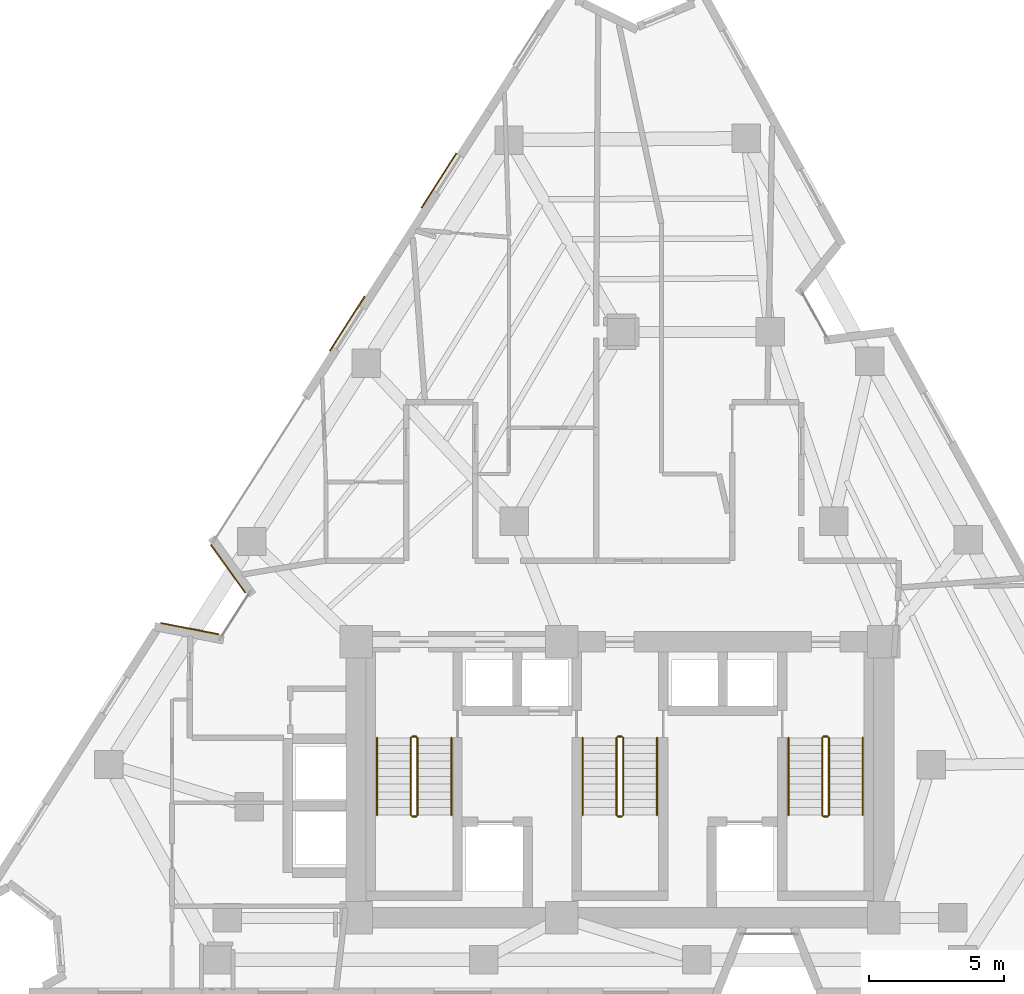
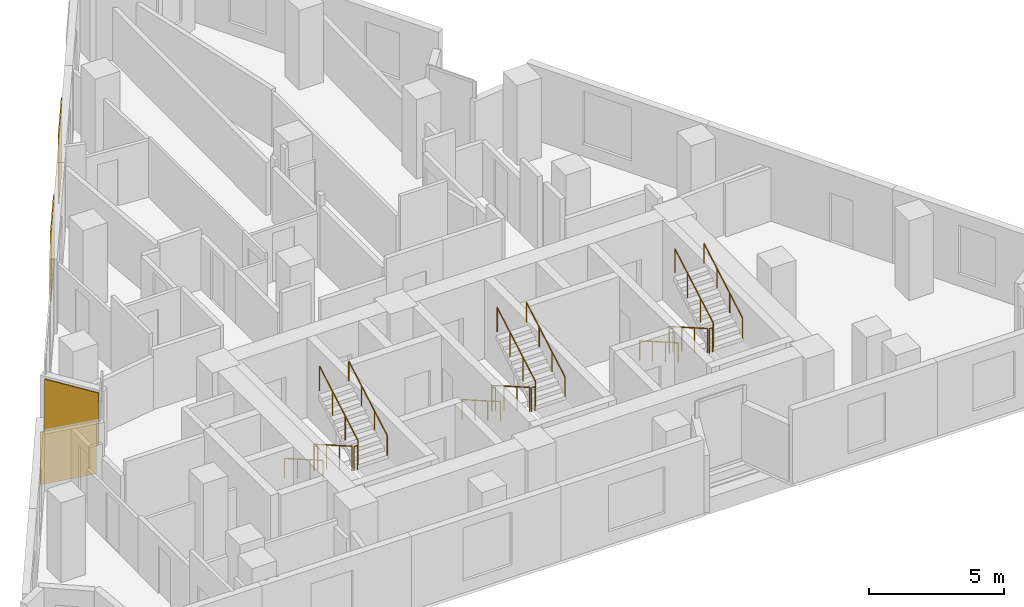
# One storey, part 10 of 11: 18 railings, 4 coverings.
"""IFC4 building model written with IfcOpenShell, lengths in metres."""

from ifc_helpers import new_model, si_unit, direction, frame, origin, origin_2d, place, context, subcontext, project, spatial, rectangle, circle, extrude, material, layer, layer_set, type_object, element, save


model = new_model("IFC4")

# Units and contexts
model_context = context("Model", 3, precision=1e-05, world=origin(), true_north=direction((0.0, 1.0)))
body_context = subcontext(model_context, "Body", "Model", "MODEL_VIEW")
ifc_project = project(units=[si_unit("LENGTHUNIT", "METRE"), si_unit("AREAUNIT", "SQUARE_METRE"), si_unit("VOLUMEUNIT", "CUBIC_METRE"), si_unit("PLANEANGLEUNIT", "RADIAN"), si_unit("MASSUNIT", "GRAM", prefix="KILO")], contexts=[model_context])

# Site, building, storey
site_placement = place(None, origin())
site = spatial("IfcSite", under=ifc_project, at=site_placement, CompositionType="ELEMENT")
building_placement = place(site_placement, origin())
building = spatial("IfcBuilding", under=site, at=building_placement, Name="Almagre Mirador Tower", CompositionType="ELEMENT")
storey_placement = place(building_placement, frame((0.0, 0.0, 160.800048828125)))
storey = spatial("IfcBuildingStorey", under=building, at=storey_placement, Name="L41", CompositionType="ELEMENT", Elevation=160.800048828125)

# Coverings
ifc_material_1 = material(Name="Almagre terracotta architectural cladding", Category="masonry")
ifc_layer = layer(ifc_material_1, 0.044921875)
ifc_layer_set = layer_set([ifc_layer], Name="Almagre terracotta architectural cladding")
covering_type = type_object("IfcCoveringType", Name="COV-CLAD-ALMAGRE", PredefinedType="CLADDING", material=ifc_layer_set)
covering_1_placement = place(storey_placement, frame((21.409912109375, 15.2353515625, 0.099853515625), z_axis=(0.0, 0.0, 1.0), x_axis=(0.981760154029, -0.190123643878, 0.0)))
element("IfcCovering", 1, at=covering_1_placement, inside=storey, type_object=covering_type, Name="L41 almagre terracotta pier cladding", PredefinedType="CLADDING", context=body_context, shape_type="SweptSolid", body=[
    extrude(rectangle(XDim=2.194091796875, YDim=0.044921875, at=origin_2d()), origin(), (0.0, 0.0, 1.0), 2.375),
])
covering_2_placement = place(storey_placement, frame((22.826416015625, 17.44482421875, 0.099853515625), z_axis=(0.0, 0.0, 1.0), x_axis=(-0.583186817535, 0.812338067466, 0.0)))
element("IfcCovering", 2, at=covering_2_placement, inside=storey, type_object=covering_type, Name="L41 almagre terracotta pier cladding", PredefinedType="CLADDING", context=body_context, shape_type="SweptSolid", body=[
    extrude(rectangle(XDim=2.193115234375, YDim=0.044921875, at=origin_2d()), origin(), (0.0, 0.0, 1.0), 2.375),
])
for number, where, z_axis, x_axis, name in (
    (3, (27.22802734375, 26.50830078125, 0.10009765625), (0.0, 0.0, 1.0), (0.539505758171, 0.841981910079, 0.0), "L41 almagre terracotta pier cladding"),
    (4, (30.615478515625, 31.794921875, 0.10009765625), (0.0, 0.0, 1.0), (0.539505758171, 0.841981910079, 0.0), "L41 almagre terracotta pier cladding"),
):
    element("IfcCovering", number, at=place(storey_placement, frame(where, z_axis=z_axis, x_axis=x_axis)), inside=storey, type_object=covering_type, Name=name, PredefinedType="CLADDING", context=body_context, shape_type="SweptSolid", body=[
        extrude(rectangle(XDim=2.39990234375, YDim=0.044921875, at=origin_2d()), origin(), (0.0, 0.0, 1.0), 3.14990234375),
    ])

# Railings
ifc_material_2 = material(Name="Painted galvanized steel", Category="steel")
railing_type_1 = type_object("IfcRailingType", Name="RLG-GRD-1100", PredefinedType="GUARDRAIL", material=ifc_material_2)
railing_1_placement = place(storey_placement, frame((29.574951171875, 11.199951171875, 0.16357421875)))
element("IfcRailing", 5, at=railing_1_placement, inside=storey, type_object=railing_type_1, Name="L41 ST-1 stair guard 1", PredefinedType="GUARDRAIL", context=body_context, shape_type="SweptSolid", body=[
    extrude(circle(Radius=0.02392578125, at=origin_2d()), frame((0.0, 0.0, 1.09619140625), z_axis=(0.0, -0.867194282975, 0.497969954491), x_axis=(1.0, 0.0, 0.0)), (0.0, 0.0, 1.0), 3.286376953125),
    extrude(circle(Radius=0.02099609375, at=origin_2d()), origin(), (0.0, 0.0, 1.0), 1.072021484375),
    extrude(circle(Radius=0.02099609375, at=origin_2d()), frame((0.0, -0.949951171875, 0.54541015625)), (0.0, 0.0, 1.0), 1.072021484375),
    extrude(circle(Radius=0.02099609375, at=origin_2d()), frame((0.0, -1.89990234375, 1.091064453125)), (0.0, 0.0, 1.0), 1.072021484375),
    extrude(circle(Radius=0.02099609375, at=origin_2d()), frame((0.0, -2.849853515625, 1.636474609375)), (0.0, 0.0, 1.0), 1.072021484375),
])
railing_2_placement = place(storey_placement, frame((29.625, 8.300048828125, 1.800048828125)))
element("IfcRailing", 6, at=railing_2_placement, inside=storey, type_object=railing_type_1, Name="L41 ST-1 stair guard 2", PredefinedType="GUARDRAIL", context=body_context, shape_type="SweptSolid", body=[
    extrude(circle(Radius=0.02392578125, at=origin_2d()), frame((0.0, 0.0, 1.09619140625), z_axis=(1.0, 0.0, 0.0), x_axis=(0.0, 1.0, 0.0)), (0.0, 0.0, 1.0), 0.14990234375),
    extrude(circle(Radius=0.02099609375, at=origin_2d()), origin(), (0.0, 0.0, 1.0), 1.072021484375),
    extrude(circle(Radius=0.02099609375, at=origin_2d()), frame((0.14990234375, 0.0, 0.0)), (0.0, 0.0, 1.0), 1.072021484375),
])
railing_3_placement = place(storey_placement, frame((29.824951171875, 8.35009765625, 1.963623046875)))
element("IfcRailing", 7, at=railing_3_placement, inside=storey, type_object=railing_type_1, Name="L41 ST-1 stair guard 3", PredefinedType="GUARDRAIL", context=body_context, shape_type="SweptSolid", body=[
    extrude(circle(Radius=0.02392578125, at=origin_2d()), frame((0.0, 0.0, 1.09619140625), z_axis=(0.0, 0.867226363773, 0.497914082927), x_axis=(-1.0, 0.0, 0.0)), (0.0, 0.0, 1.0), 3.2861328125),
    extrude(circle(Radius=0.02099609375, at=origin_2d()), origin(), (0.0, 0.0, 1.0), 1.072021484375),
    extrude(circle(Radius=0.02099609375, at=origin_2d()), frame((0.0, 0.949951171875, 0.54541015625)), (0.0, 0.0, 1.0), 1.072021484375),
    extrude(circle(Radius=0.02099609375, at=origin_2d()), frame((0.0, 1.89990234375, 1.0908203125)), (0.0, 0.0, 1.0), 1.072021484375),
    extrude(circle(Radius=0.02099609375, at=origin_2d()), frame((0.0, 2.849853515625, 1.63623046875)), (0.0, 0.0, 1.0), 1.072021484375),
])
railing_4_placement = place(storey_placement, frame((29.625, 11.25, 0.0)))
element("IfcRailing", 8, at=railing_4_placement, inside=storey, type_object=railing_type_1, Name="L41 ST-1 stair guard 4", PredefinedType="GUARDRAIL", context=body_context, shape_type="SweptSolid", body=[
    extrude(circle(Radius=0.02392578125, at=origin_2d()), frame((0.0, 0.0, 1.09619140625), z_axis=(1.0, 0.0, 0.0), x_axis=(0.0, 1.0, 0.0)), (0.0, 0.0, 1.0), 0.14990234375),
    extrude(circle(Radius=0.02099609375, at=origin_2d()), origin(), (0.0, 0.0, 1.0), 1.072021484375),
    extrude(circle(Radius=0.02099609375, at=origin_2d()), frame((0.14990234375, 0.0, 0.0)), (0.0, 0.0, 1.0), 1.072021484375),
])
railing_5_placement = place(storey_placement, frame((37.175048828125, 11.199951171875, 0.16357421875)))
element("IfcRailing", 9, at=railing_5_placement, inside=storey, type_object=railing_type_1, Name="L41 ST-2 stair guard 1", PredefinedType="GUARDRAIL", context=body_context, shape_type="SweptSolid", body=[
    extrude(circle(Radius=0.02392578125, at=origin_2d()), frame((0.0, 0.0, 1.09619140625), z_axis=(0.0, -0.867194282975, 0.497969954491), x_axis=(1.0, 0.0, 0.0)), (0.0, 0.0, 1.0), 3.286376953125),
    extrude(circle(Radius=0.02099609375, at=origin_2d()), origin(), (0.0, 0.0, 1.0), 1.072021484375),
    extrude(circle(Radius=0.02099609375, at=origin_2d()), frame((0.0, -0.949951171875, 0.54541015625)), (0.0, 0.0, 1.0), 1.072021484375),
    extrude(circle(Radius=0.02099609375, at=origin_2d()), frame((0.0, -1.89990234375, 1.091064453125)), (0.0, 0.0, 1.0), 1.072021484375),
    extrude(circle(Radius=0.02099609375, at=origin_2d()), frame((0.0, -2.849853515625, 1.636474609375)), (0.0, 0.0, 1.0), 1.072021484375),
])
railing_6_placement = place(storey_placement, frame((37.22509765625, 8.300048828125, 1.800048828125)))
element("IfcRailing", 10, at=railing_6_placement, inside=storey, type_object=railing_type_1, Name="L41 ST-2 stair guard 2", PredefinedType="GUARDRAIL", context=body_context, shape_type="SweptSolid", body=[
    extrude(circle(Radius=0.02392578125, at=origin_2d()), frame((0.0, 0.0, 1.09619140625), z_axis=(1.0, 0.0, 0.0), x_axis=(0.0, 1.0, 0.0)), (0.0, 0.0, 1.0), 0.14990234375),
    extrude(circle(Radius=0.02099609375, at=origin_2d()), origin(), (0.0, 0.0, 1.0), 1.072021484375),
    extrude(circle(Radius=0.02099609375, at=origin_2d()), frame((0.14990234375, 0.0, 0.0)), (0.0, 0.0, 1.0), 1.072021484375),
])
railing_7_placement = place(storey_placement, frame((37.425048828125, 8.35009765625, 1.963623046875)))
element("IfcRailing", 11, at=railing_7_placement, inside=storey, type_object=railing_type_1, Name="L41 ST-2 stair guard 3", PredefinedType="GUARDRAIL", context=body_context, shape_type="SweptSolid", body=[
    extrude(circle(Radius=0.02392578125, at=origin_2d()), frame((0.0, 0.0, 1.09619140625), z_axis=(0.0, 0.867226363773, 0.497914082927), x_axis=(-1.0, 0.0, 0.0)), (0.0, 0.0, 1.0), 3.2861328125),
    extrude(circle(Radius=0.02099609375, at=origin_2d()), origin(), (0.0, 0.0, 1.0), 1.072021484375),
    extrude(circle(Radius=0.02099609375, at=origin_2d()), frame((0.0, 0.949951171875, 0.54541015625)), (0.0, 0.0, 1.0), 1.072021484375),
    extrude(circle(Radius=0.02099609375, at=origin_2d()), frame((0.0, 1.89990234375, 1.0908203125)), (0.0, 0.0, 1.0), 1.072021484375),
    extrude(circle(Radius=0.02099609375, at=origin_2d()), frame((0.0, 2.849853515625, 1.63623046875)), (0.0, 0.0, 1.0), 1.072021484375),
])
railing_8_placement = place(storey_placement, frame((37.22509765625, 11.25, 0.0)))
element("IfcRailing", 12, at=railing_8_placement, inside=storey, type_object=railing_type_1, Name="L41 ST-2 stair guard 4", PredefinedType="GUARDRAIL", context=body_context, shape_type="SweptSolid", body=[
    extrude(circle(Radius=0.02392578125, at=origin_2d()), frame((0.0, 0.0, 1.09619140625), z_axis=(1.0, 0.0, 0.0), x_axis=(0.0, 1.0, 0.0)), (0.0, 0.0, 1.0), 0.14990234375),
    extrude(circle(Radius=0.02099609375, at=origin_2d()), origin(), (0.0, 0.0, 1.0), 1.072021484375),
    extrude(circle(Radius=0.02099609375, at=origin_2d()), frame((0.14990234375, 0.0, 0.0)), (0.0, 0.0, 1.0), 1.072021484375),
])
railing_9_placement = place(storey_placement, frame((44.77490234375, 11.199951171875, 0.16357421875)))
element("IfcRailing", 13, at=railing_9_placement, inside=storey, type_object=railing_type_1, Name="L41 ST-3 stair guard 1", PredefinedType="GUARDRAIL", context=body_context, shape_type="SweptSolid", body=[
    extrude(circle(Radius=0.02392578125, at=origin_2d()), frame((0.0, 0.0, 1.09619140625), z_axis=(0.0, -0.867194282975, 0.497969954491), x_axis=(1.0, 0.0, 0.0)), (0.0, 0.0, 1.0), 3.286376953125),
    extrude(circle(Radius=0.02099609375, at=origin_2d()), origin(), (0.0, 0.0, 1.0), 1.072021484375),
    extrude(circle(Radius=0.02099609375, at=origin_2d()), frame((0.0, -0.949951171875, 0.54541015625)), (0.0, 0.0, 1.0), 1.072021484375),
    extrude(circle(Radius=0.02099609375, at=origin_2d()), frame((0.0, -1.89990234375, 1.091064453125)), (0.0, 0.0, 1.0), 1.072021484375),
    extrude(circle(Radius=0.02099609375, at=origin_2d()), frame((0.0, -2.849853515625, 1.636474609375)), (0.0, 0.0, 1.0), 1.072021484375),
])
railing_10_placement = place(storey_placement, frame((44.824951171875, 8.300048828125, 1.800048828125)))
element("IfcRailing", 14, at=railing_10_placement, inside=storey, type_object=railing_type_1, Name="L41 ST-3 stair guard 2", PredefinedType="GUARDRAIL", context=body_context, shape_type="SweptSolid", body=[
    extrude(circle(Radius=0.02392578125, at=origin_2d()), frame((0.0, 0.0, 1.09619140625), z_axis=(1.0, 0.0, 0.0), x_axis=(0.0, 1.0, 0.0)), (0.0, 0.0, 1.0), 0.150146484375),
    extrude(circle(Radius=0.02099609375, at=origin_2d()), origin(), (0.0, 0.0, 1.0), 1.072021484375),
    extrude(circle(Radius=0.02099609375, at=origin_2d()), frame((0.150146484375, 0.0, 0.0)), (0.0, 0.0, 1.0), 1.072021484375),
])
railing_11_placement = place(storey_placement, frame((45.02490234375, 8.35009765625, 1.963623046875)))
element("IfcRailing", 15, at=railing_11_placement, inside=storey, type_object=railing_type_1, Name="L41 ST-3 stair guard 3", PredefinedType="GUARDRAIL", context=body_context, shape_type="SweptSolid", body=[
    extrude(circle(Radius=0.02392578125, at=origin_2d()), frame((0.0, 0.0, 1.09619140625), z_axis=(0.0, 0.867226363773, 0.497914082927), x_axis=(-1.0, 0.0, 0.0)), (0.0, 0.0, 1.0), 3.2861328125),
    extrude(circle(Radius=0.02099609375, at=origin_2d()), origin(), (0.0, 0.0, 1.0), 1.072021484375),
    extrude(circle(Radius=0.02099609375, at=origin_2d()), frame((0.0, 0.949951171875, 0.54541015625)), (0.0, 0.0, 1.0), 1.072021484375),
    extrude(circle(Radius=0.02099609375, at=origin_2d()), frame((0.0, 1.89990234375, 1.0908203125)), (0.0, 0.0, 1.0), 1.072021484375),
    extrude(circle(Radius=0.02099609375, at=origin_2d()), frame((0.0, 2.849853515625, 1.63623046875)), (0.0, 0.0, 1.0), 1.072021484375),
])
railing_12_placement = place(storey_placement, frame((44.824951171875, 11.25, 0.0)))
element("IfcRailing", 16, at=railing_12_placement, inside=storey, type_object=railing_type_1, Name="L41 ST-3 stair guard 4", PredefinedType="GUARDRAIL", context=body_context, shape_type="SweptSolid", body=[
    extrude(circle(Radius=0.02392578125, at=origin_2d()), frame((0.0, 0.0, 1.09619140625), z_axis=(1.0, 0.0, 0.0), x_axis=(0.0, 1.0, 0.0)), (0.0, 0.0, 1.0), 0.150146484375),
    extrude(circle(Radius=0.02099609375, at=origin_2d()), origin(), (0.0, 0.0, 1.0), 1.072021484375),
    extrude(circle(Radius=0.02099609375, at=origin_2d()), frame((0.150146484375, 0.0, 0.0)), (0.0, 0.0, 1.0), 1.072021484375),
])
ifc_material_3 = material(Name="Brushed stainless steel", Category="steel")
railing_type_2 = type_object("IfcRailingType", Name="RLG-HND-915", PredefinedType="HANDRAIL", material=ifc_material_3)
railing_13_placement = place(storey_placement, frame((28.324951171875, 11.199951171875, 0.16357421875)))
element("IfcRailing", 17, at=railing_13_placement, inside=storey, type_object=railing_type_2, Name="L41 ST-1 stair handrail 1", PredefinedType="HANDRAIL", context=body_context, shape_type="SweptSolid", body=[
    extrude(circle(Radius=0.02392578125, at=origin_2d()), frame((0.0, 0.0, 0.89111328125), z_axis=(0.0, -0.867194282975, 0.497969954491), x_axis=(1.0, 0.0, 0.0)), (0.0, 0.0, 1.0), 3.286376953125),
    extrude(circle(Radius=0.02099609375, at=origin_2d()), origin(), (0.0, 0.0, 1.0), 0.866943359375),
    extrude(circle(Radius=0.02099609375, at=origin_2d()), frame((0.0, -0.949951171875, 0.54541015625)), (0.0, 0.0, 1.0), 0.866943359375),
    extrude(circle(Radius=0.02099609375, at=origin_2d()), frame((0.0, -1.89990234375, 1.091064453125)), (0.0, 0.0, 1.0), 0.866943359375),
    extrude(circle(Radius=0.02099609375, at=origin_2d()), frame((0.0, -2.849853515625, 1.636474609375)), (0.0, 0.0, 1.0), 0.866943359375),
])
railing_14_placement = place(storey_placement, frame((31.074951171875, 8.35009765625, 1.963623046875)))
element("IfcRailing", 18, at=railing_14_placement, inside=storey, type_object=railing_type_2, Name="L41 ST-1 stair handrail 2", PredefinedType="HANDRAIL", context=body_context, shape_type="SweptSolid", body=[
    extrude(circle(Radius=0.02392578125, at=origin_2d()), frame((0.0, 0.0, 0.89111328125), z_axis=(0.0, 0.867226363773, 0.497914082927), x_axis=(-1.0, 0.0, 0.0)), (0.0, 0.0, 1.0), 3.2861328125),
    extrude(circle(Radius=0.02099609375, at=origin_2d()), origin(), (0.0, 0.0, 1.0), 0.866943359375),
    extrude(circle(Radius=0.02099609375, at=origin_2d()), frame((0.0, 0.949951171875, 0.54541015625)), (0.0, 0.0, 1.0), 0.866943359375),
    extrude(circle(Radius=0.02099609375, at=origin_2d()), frame((0.0, 1.89990234375, 1.0908203125)), (0.0, 0.0, 1.0), 0.866943359375),
    extrude(circle(Radius=0.02099609375, at=origin_2d()), frame((0.0, 2.849853515625, 1.63623046875)), (0.0, 0.0, 1.0), 0.866943359375),
])
railing_15_placement = place(storey_placement, frame((35.925048828125, 11.199951171875, 0.16357421875)))
element("IfcRailing", 19, at=railing_15_placement, inside=storey, type_object=railing_type_2, Name="L41 ST-2 stair handrail 1", PredefinedType="HANDRAIL", context=body_context, shape_type="SweptSolid", body=[
    extrude(circle(Radius=0.02392578125, at=origin_2d()), frame((0.0, 0.0, 0.89111328125), z_axis=(0.0, -0.867194282975, 0.497969954491), x_axis=(1.0, 0.0, 0.0)), (0.0, 0.0, 1.0), 3.286376953125),
    extrude(circle(Radius=0.02099609375, at=origin_2d()), origin(), (0.0, 0.0, 1.0), 0.866943359375),
    extrude(circle(Radius=0.02099609375, at=origin_2d()), frame((0.0, -0.949951171875, 0.54541015625)), (0.0, 0.0, 1.0), 0.866943359375),
    extrude(circle(Radius=0.02099609375, at=origin_2d()), frame((0.0, -1.89990234375, 1.091064453125)), (0.0, 0.0, 1.0), 0.866943359375),
    extrude(circle(Radius=0.02099609375, at=origin_2d()), frame((0.0, -2.849853515625, 1.636474609375)), (0.0, 0.0, 1.0), 0.866943359375),
])
railing_16_placement = place(storey_placement, frame((38.675048828125, 8.35009765625, 1.963623046875)))
element("IfcRailing", 20, at=railing_16_placement, inside=storey, type_object=railing_type_2, Name="L41 ST-2 stair handrail 2", PredefinedType="HANDRAIL", context=body_context, shape_type="SweptSolid", body=[
    extrude(circle(Radius=0.02392578125, at=origin_2d()), frame((0.0, 0.0, 0.89111328125), z_axis=(0.0, 0.867226363773, 0.497914082927), x_axis=(-1.0, 0.0, 0.0)), (0.0, 0.0, 1.0), 3.2861328125),
    extrude(circle(Radius=0.02099609375, at=origin_2d()), origin(), (0.0, 0.0, 1.0), 0.866943359375),
    extrude(circle(Radius=0.02099609375, at=origin_2d()), frame((0.0, 0.949951171875, 0.54541015625)), (0.0, 0.0, 1.0), 0.866943359375),
    extrude(circle(Radius=0.02099609375, at=origin_2d()), frame((0.0, 1.89990234375, 1.0908203125)), (0.0, 0.0, 1.0), 0.866943359375),
    extrude(circle(Radius=0.02099609375, at=origin_2d()), frame((0.0, 2.849853515625, 1.63623046875)), (0.0, 0.0, 1.0), 0.866943359375),
])
railing_17_placement = place(storey_placement, frame((43.52490234375, 11.199951171875, 0.16357421875)))
element("IfcRailing", 21, at=railing_17_placement, inside=storey, type_object=railing_type_2, Name="L41 ST-3 stair handrail 1", PredefinedType="HANDRAIL", context=body_context, shape_type="SweptSolid", body=[
    extrude(circle(Radius=0.02392578125, at=origin_2d()), frame((0.0, 0.0, 0.89111328125), z_axis=(0.0, -0.867194282975, 0.497969954491), x_axis=(1.0, 0.0, 0.0)), (0.0, 0.0, 1.0), 3.286376953125),
    extrude(circle(Radius=0.02099609375, at=origin_2d()), origin(), (0.0, 0.0, 1.0), 0.866943359375),
    extrude(circle(Radius=0.02099609375, at=origin_2d()), frame((0.0, -0.949951171875, 0.54541015625)), (0.0, 0.0, 1.0), 0.866943359375),
    extrude(circle(Radius=0.02099609375, at=origin_2d()), frame((0.0, -1.89990234375, 1.091064453125)), (0.0, 0.0, 1.0), 0.866943359375),
    extrude(circle(Radius=0.02099609375, at=origin_2d()), frame((0.0, -2.849853515625, 1.636474609375)), (0.0, 0.0, 1.0), 0.866943359375),
])
railing_18_placement = place(storey_placement, frame((46.27490234375, 8.35009765625, 1.963623046875)))
element("IfcRailing", 22, at=railing_18_placement, inside=storey, type_object=railing_type_2, Name="L41 ST-3 stair handrail 2", PredefinedType="HANDRAIL", context=body_context, shape_type="SweptSolid", body=[
    extrude(circle(Radius=0.02392578125, at=origin_2d()), frame((0.0, 0.0, 0.89111328125), z_axis=(0.0, 0.867226363773, 0.497914082927), x_axis=(-1.0, 0.0, 0.0)), (0.0, 0.0, 1.0), 3.2861328125),
    extrude(circle(Radius=0.02099609375, at=origin_2d()), origin(), (0.0, 0.0, 1.0), 0.866943359375),
    extrude(circle(Radius=0.02099609375, at=origin_2d()), frame((0.0, 0.949951171875, 0.54541015625)), (0.0, 0.0, 1.0), 0.866943359375),
    extrude(circle(Radius=0.02099609375, at=origin_2d()), frame((0.0, 1.89990234375, 1.0908203125)), (0.0, 0.0, 1.0), 0.866943359375),
    extrude(circle(Radius=0.02099609375, at=origin_2d()), frame((0.0, 2.849853515625, 1.63623046875)), (0.0, 0.0, 1.0), 0.866943359375),
])

save(model, "model.ifc")
